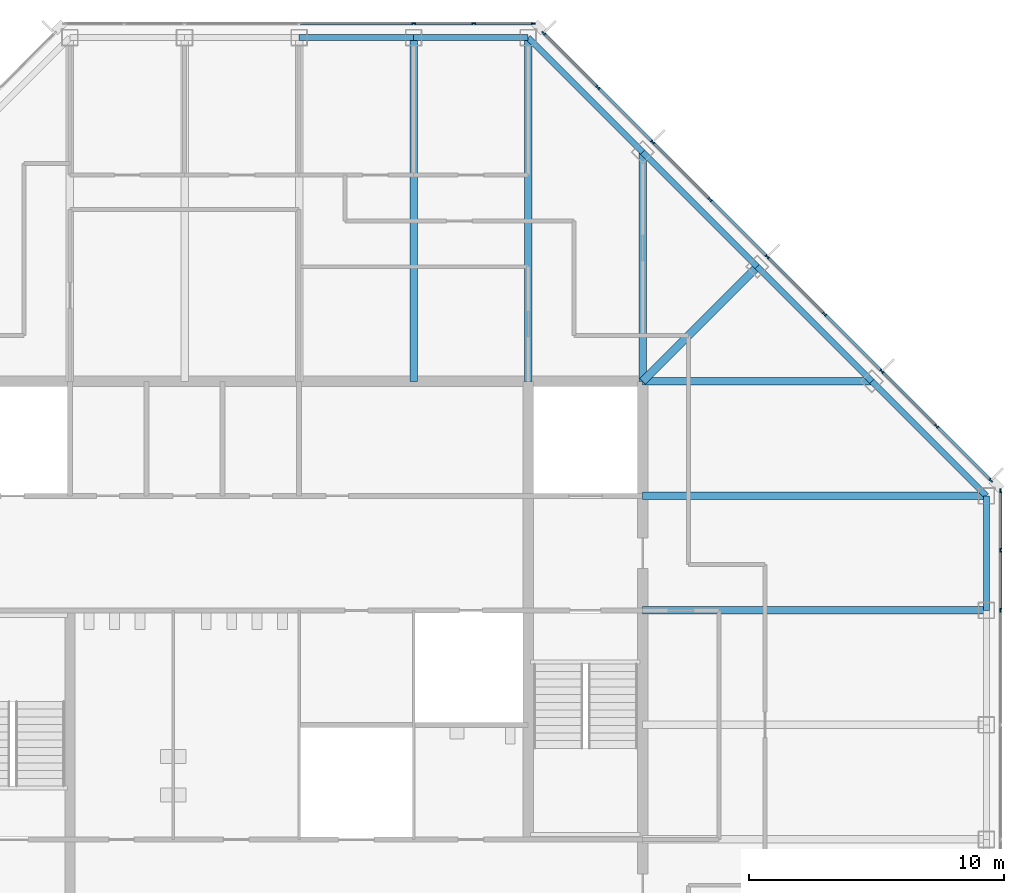
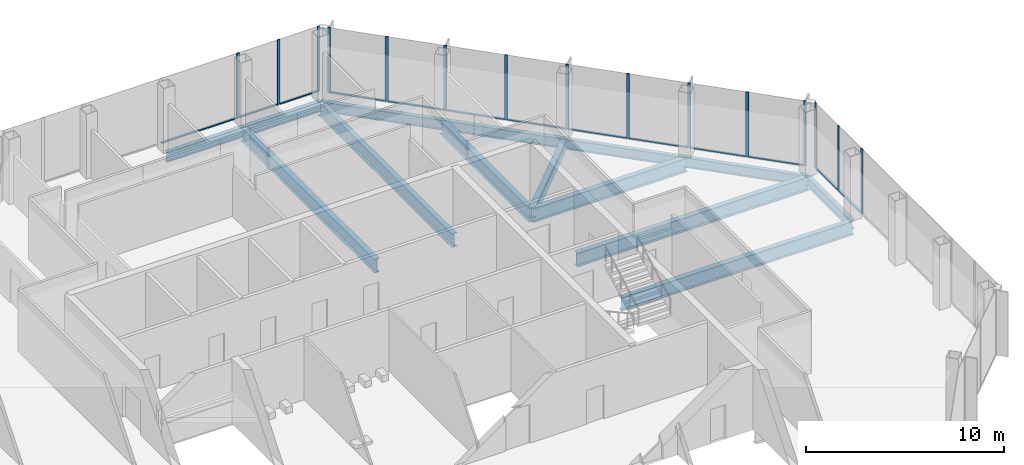
# One storey, part 7 of 14: 28 members, 14 beams, 3 elements without a shape of their own.
"""IFC4 building model written with IfcOpenShell, lengths in metres."""

from ifc_helpers import new_model, si_unit, direction, frame, origin, origin_2d, place, context, subcontext, project, spatial, rectangle, i_section, extrude, material, material_profile, profile_set, type_object, element, aggregate, save


model = new_model("IFC4")

# Units and contexts
model_context = context("Model", 3, precision=1e-05, world=origin(), true_north=direction((0.0, 1.0)))
body_context = subcontext(model_context, "Body", "Model", "MODEL_VIEW")
ifc_project = project(units=[si_unit("LENGTHUNIT", "METRE"), si_unit("AREAUNIT", "SQUARE_METRE"), si_unit("VOLUMEUNIT", "CUBIC_METRE"), si_unit("PLANEANGLEUNIT", "RADIAN"), si_unit("MASSUNIT", "GRAM", prefix="KILO")], contexts=[model_context])

# Site, building, storey
site_placement = place(None, origin())
site = spatial("IfcSite", under=ifc_project, at=site_placement, CompositionType="ELEMENT")
building_placement = place(site_placement, origin())
building = spatial("IfcBuilding", under=site, at=building_placement, Name="Corais Broadcast Tower", CompositionType="ELEMENT")
storey_placement = place(building_placement, frame((0.0, 0.0, 258.60009765625)))
storey = spatial("IfcBuildingStorey", under=building, at=storey_placement, Name="L60", CompositionType="ELEMENT", Elevation=258.60009765625)

# Beams
ifc_material_1 = material(Name="Steel ASTM A572 Grade 50", Category="steel")
ifc_material_profile_1 = material_profile(ifc_material_1, i_section(OverallWidth=0.323974609375, OverallDepth=0.611083984375, WebThickness=0.0126953125, FlangeThickness=0.01904296875, at=origin_2d()), Name="W610x155")
ifc_profile_set_1 = profile_set([ifc_material_profile_1], Name="Steel ASTM A572 Grade 50")
beam_type_1 = type_object("IfcBeamType", Name="Corner diagonal W610x155", PredefinedType="BEAM", material=ifc_profile_set_1)
beam_1_placement = place(storey_placement, frame((45.0, 45.0, -0.465576171875), z_axis=(-0.707106781187, -0.707106781187, 0.0), x_axis=(0.707106781187, -0.707106781187, 0.0)))
element("IfcBeam", 1, at=beam_1_placement, inside=storey, type_object=beam_type_1, Name="B6 L/13 to K/12", PredefinedType="BEAM", context=body_context, shape_type="SweptSolid", body=[
    extrude(i_section(OverallWidth=0.323974609375, OverallDepth=0.611083984375, WebThickness=0.0126953125, FlangeThickness=0.01904296875, at=origin_2d()), origin(), (0.0, 0.0, 1.0), 6.364013671875),
])
ifc_material_2 = material(Name="Steel ASTM A572 Grade 50", Category="steel")
ifc_material_profile_2 = material_profile(ifc_material_2, i_section(OverallWidth=0.2939453125, OverallDepth=0.85107421875, WebThickness=0.01611328125, FlangeThickness=0.02685546875, at=origin_2d()), Name="W840x226")
ifc_profile_set_2 = profile_set([ifc_material_profile_2], Name="Steel ASTM A572 Grade 50")
beam_type_2 = type_object("IfcBeamType", Name="Floor beam W840x226", PredefinedType="BEAM", material=ifc_profile_set_2)
for number, where, z_axis, x_axis, name in (
    (2, (31.5, 54.0, -0.585693359375), (0.0, -1.0, 0.0), (1.0, 0.0, 0.0), "B1 N/10 to K/10"),
    (3, (36.0, 54.0, -0.585693359375), (0.0, -1.0, 0.0), (1.0, 0.0, 0.0), "B1 N/11 to K/11"),
):
    element("IfcBeam", number, at=place(storey_placement, frame(where, z_axis=z_axis, x_axis=x_axis)), inside=storey, type_object=beam_type_2, Name=name, PredefinedType="BEAM", context=body_context, shape_type="SweptSolid", body=[
        extrude(i_section(OverallWidth=0.2939453125, OverallDepth=0.85107421875, WebThickness=0.01611328125, FlangeThickness=0.02685546875, at=origin_2d()), origin(), (0.0, 0.0, 1.0), 13.5),
    ])
for number, where, z_axis, x_axis, name in (
    (4, (40.5, 49.5, -0.585693359375), (0.0, -1.0, 0.0), (1.0, 0.0, 0.0), "B1 M/12 to K/12"),
    (5, (49.5, 40.5, -0.585693359375), (-1.0, 0.0, 0.0), (0.0, -1.0, 0.0), "B1 K/14 to K/12"),
):
    element("IfcBeam", number, at=place(storey_placement, frame(where, z_axis=z_axis, x_axis=x_axis)), inside=storey, type_object=beam_type_2, Name=name, PredefinedType="BEAM", context=body_context, shape_type="SweptSolid", body=[
        extrude(i_section(OverallWidth=0.2939453125, OverallDepth=0.85107421875, WebThickness=0.01611328125, FlangeThickness=0.02685546875, at=origin_2d()), origin(), (0.0, 0.0, 1.0), 9.0),
    ])
for number, where, z_axis, x_axis, name in (
    (6, (54.0, 31.5, -0.585693359375), (-1.0, 0.0, 0.0), (0.0, -1.0, 0.0), "B1 H/15 to H/12"),
    (7, (54.0, 36.0, -0.585693359375), (-1.0, 0.0, 0.0), (0.0, -1.0, 0.0), "B1 J/15 to J/12"),
):
    element("IfcBeam", number, at=place(storey_placement, frame(where, z_axis=z_axis, x_axis=x_axis)), inside=storey, type_object=beam_type_2, Name=name, PredefinedType="BEAM", context=body_context, shape_type="SweptSolid", body=[
        extrude(i_section(OverallWidth=0.2939453125, OverallDepth=0.85107421875, WebThickness=0.01611328125, FlangeThickness=0.02685546875, at=origin_2d()), origin(), (0.0, 0.0, 1.0), 13.5),
    ])

# Curtain wall, members
ifc_material_3 = material(Name="Aluminium and glass", Category="aluminium")
curtain_wall_type = type_object("IfcCurtainWallType", Name="Unitised fritted curtain wall CW3", PredefinedType="NOTDEFINED", material=ifc_material_3)
curtain_wall_1_placement = place(storey_placement, origin())
curtain_wall_1 = element("IfcCurtainWall", 8, at=curtain_wall_1_placement, inside=storey, type_object=curtain_wall_type, Name="CW3 curtain wall L60 4", PredefinedType="NOTDEFINED")
ifc_material_4 = material(Name="Aluminium 6063-T6", Category="aluminium")
ifc_material_profile_3 = material_profile(ifc_material_4, rectangle(XDim=0.06494140625, YDim=0.159912109375, at=origin_2d()), Name="Mullion CW3 65x160")
ifc_profile_set_3 = profile_set([ifc_material_profile_3], Name="Aluminium 6063-T6")
member_type_1 = type_object("IfcMemberType", Name="Mullion CW3 65x160", PredefinedType="MULLION", material=ifc_profile_set_3)
member_1_placement = place(storey_placement, frame((31.5, 54.550048828125, 0.0), z_axis=(0.0, 0.0, 1.0), x_axis=(0.0, 1.0, 0.0)))
member_1 = element("IfcMember", 9, at=member_1_placement, type_object=member_type_1, Name="CW3 mullion 5", PredefinedType="MULLION", context=body_context, shape_type="SweptSolid", body=[
    extrude(rectangle(XDim=0.06494140625, YDim=0.159912109375, at=origin_2d()), origin(), (0.0, 0.0, 1.0), 4.0),
])
member_2_placement = place(storey_placement, frame((33.864013671875, 54.550048828125, 0.0), z_axis=(0.0, 0.0, 1.0), x_axis=(0.0, 1.0, 0.0)))
member_2 = element("IfcMember", 10, at=member_2_placement, type_object=member_type_1, Name="CW3 mullion 6", PredefinedType="MULLION", context=body_context, shape_type="SweptSolid", body=[
    extrude(rectangle(XDim=0.06494140625, YDim=0.159912109375, at=origin_2d()), origin(), (0.0, 0.0, 1.0), 4.0),
])
member_3_placement = place(storey_placement, frame((36.1953125, 54.550048828125, 0.0), z_axis=(0.0, 0.0, 1.0), x_axis=(0.0, 1.0, 0.0)))
member_3 = element("IfcMember", 11, at=member_3_placement, type_object=member_type_1, Name="CW3 mullion 7", PredefinedType="MULLION", context=body_context, shape_type="SweptSolid", body=[
    extrude(rectangle(XDim=0.06494140625, YDim=0.159912109375, at=origin_2d()), origin(), (0.0, 0.0, 1.0), 4.0),
])

curtain_wall_2_placement = place(storey_placement, origin())
curtain_wall_2 = element("IfcCurtainWall", 12, at=curtain_wall_2_placement, inside=storey, type_object=curtain_wall_type, Name="CW3 curtain wall L60 5", PredefinedType="NOTDEFINED")
member_4_placement = place(storey_placement, frame((36.6044921875, 54.17333984375, 0.0), z_axis=(0.0, 0.0, 1.0), x_axis=(0.707106781187, 0.707106781187, 0.0)))
member_4 = element("IfcMember", 13, at=member_4_placement, type_object=member_type_1, Name="CW3 mullion 1", PredefinedType="MULLION", context=body_context, shape_type="SweptSolid", body=[
    extrude(rectangle(XDim=0.06494140625, YDim=0.159912109375, at=origin_2d()), origin(), (0.0, 0.0, 1.0), 4.0),
])
member_5_placement = place(storey_placement, frame((38.735107421875, 52.042724609375, 0.0), z_axis=(0.0, 0.0, 1.0), x_axis=(0.707106781187, 0.707106781187, 0.0)))
member_5 = element("IfcMember", 14, at=member_5_placement, type_object=member_type_1, Name="CW3 mullion 2", PredefinedType="MULLION", context=body_context, shape_type="SweptSolid", body=[
    extrude(rectangle(XDim=0.06494140625, YDim=0.159912109375, at=origin_2d()), origin(), (0.0, 0.0, 1.0), 4.0),
])
member_6_placement = place(storey_placement, frame((40.888916015625, 49.888916015625, 0.0), z_axis=(0.0, 0.0, 1.0), x_axis=(0.707106781187, 0.707106781187, 0.0)))
member_6 = element("IfcMember", 15, at=member_6_placement, type_object=member_type_1, Name="CW3 mullion 3", PredefinedType="MULLION", context=body_context, shape_type="SweptSolid", body=[
    extrude(rectangle(XDim=0.06494140625, YDim=0.159912109375, at=origin_2d()), origin(), (0.0, 0.0, 1.0), 4.0),
])
member_7_placement = place(storey_placement, frame((43.138916015625, 47.638916015625, 0.0), z_axis=(0.0, 0.0, 1.0), x_axis=(0.707106781187, 0.707106781187, 0.0)))
member_7 = element("IfcMember", 16, at=member_7_placement, type_object=member_type_1, Name="CW3 mullion 4", PredefinedType="MULLION", context=body_context, shape_type="SweptSolid", body=[
    extrude(rectangle(XDim=0.06494140625, YDim=0.159912109375, at=origin_2d()), origin(), (0.0, 0.0, 1.0), 4.0),
])
member_8_placement = place(storey_placement, frame((45.388916015625, 45.388916015625, 0.0), z_axis=(0.0, 0.0, 1.0), x_axis=(0.707106781187, 0.707106781187, 0.0)))
member_8 = element("IfcMember", 17, at=member_8_placement, type_object=member_type_1, Name="CW3 mullion 5", PredefinedType="MULLION", context=body_context, shape_type="SweptSolid", body=[
    extrude(rectangle(XDim=0.06494140625, YDim=0.159912109375, at=origin_2d()), origin(), (0.0, 0.0, 1.0), 4.0),
])
member_9_placement = place(storey_placement, frame((47.638916015625, 43.138916015625, 0.0), z_axis=(0.0, 0.0, 1.0), x_axis=(0.707106781187, 0.707106781187, 0.0)))
member_9 = element("IfcMember", 18, at=member_9_placement, type_object=member_type_1, Name="CW3 mullion 6", PredefinedType="MULLION", context=body_context, shape_type="SweptSolid", body=[
    extrude(rectangle(XDim=0.06494140625, YDim=0.159912109375, at=origin_2d()), origin(), (0.0, 0.0, 1.0), 4.0),
])
member_10_placement = place(storey_placement, frame((49.888916015625, 40.888916015625, 0.0), z_axis=(0.0, 0.0, 1.0), x_axis=(0.707106781187, 0.707106781187, 0.0)))
member_10 = element("IfcMember", 19, at=member_10_placement, type_object=member_type_1, Name="CW3 mullion 7", PredefinedType="MULLION", context=body_context, shape_type="SweptSolid", body=[
    extrude(rectangle(XDim=0.06494140625, YDim=0.159912109375, at=origin_2d()), origin(), (0.0, 0.0, 1.0), 4.0),
])
member_11_placement = place(storey_placement, frame((52.042724609375, 38.735107421875, 0.0), z_axis=(0.0, 0.0, 1.0), x_axis=(0.707106781187, 0.707106781187, 0.0)))
member_11 = element("IfcMember", 20, at=member_11_placement, type_object=member_type_1, Name="CW3 mullion 8", PredefinedType="MULLION", context=body_context, shape_type="SweptSolid", body=[
    extrude(rectangle(XDim=0.06494140625, YDim=0.159912109375, at=origin_2d()), origin(), (0.0, 0.0, 1.0), 4.0),
])
member_12_placement = place(storey_placement, frame((54.17333984375, 36.6044921875, 0.0), z_axis=(0.0, 0.0, 1.0), x_axis=(0.707106781187, 0.707106781187, 0.0)))
member_12 = element("IfcMember", 21, at=member_12_placement, type_object=member_type_1, Name="CW3 mullion 9", PredefinedType="MULLION", context=body_context, shape_type="SweptSolid", body=[
    extrude(rectangle(XDim=0.06494140625, YDim=0.159912109375, at=origin_2d()), origin(), (0.0, 0.0, 1.0), 4.0),
])

curtain_wall_3_placement = place(storey_placement, origin())
curtain_wall_3 = element("IfcCurtainWall", 22, at=curtain_wall_3_placement, inside=storey, type_object=curtain_wall_type, Name="CW3 curtain wall L60 6", PredefinedType="NOTDEFINED")
member_13_placement = place(storey_placement, frame((54.550048828125, 36.1953125, 0.0), z_axis=(0.0, 0.0, 1.0), x_axis=(1.0, 0.0, 0.0)))
member_13 = element("IfcMember", 23, at=member_13_placement, type_object=member_type_1, Name="CW3 mullion 1", PredefinedType="MULLION", context=body_context, shape_type="SweptSolid", body=[
    extrude(rectangle(XDim=0.06494140625, YDim=0.159912109375, at=origin_2d()), origin(), (0.0, 0.0, 1.0), 4.0),
])
member_14_placement = place(storey_placement, frame((54.550048828125, 33.864013671875, 0.0), z_axis=(0.0, 0.0, 1.0), x_axis=(1.0, 0.0, 0.0)))
member_14 = element("IfcMember", 24, at=member_14_placement, type_object=member_type_1, Name="CW3 mullion 2", PredefinedType="MULLION", context=body_context, shape_type="SweptSolid", body=[
    extrude(rectangle(XDim=0.06494140625, YDim=0.159912109375, at=origin_2d()), origin(), (0.0, 0.0, 1.0), 4.0),
])
member_15_placement = place(storey_placement, frame((54.550048828125, 31.5, 0.0), z_axis=(0.0, 0.0, 1.0), x_axis=(1.0, 0.0, 0.0)))
member_15 = element("IfcMember", 25, at=member_15_placement, type_object=member_type_1, Name="CW3 mullion 3", PredefinedType="MULLION", context=body_context, shape_type="SweptSolid", body=[
    extrude(rectangle(XDim=0.06494140625, YDim=0.159912109375, at=origin_2d()), origin(), (0.0, 0.0, 1.0), 4.0),
])

# Beams
ifc_material_5 = material(Name="Steel ASTM A572 Grade 50", Category="steel")
ifc_material_profile_4 = material_profile(ifc_material_5, i_section(OverallWidth=0.22998046875, OverallDepth=0.616943359375, WebThickness=0.01318359375, FlangeThickness=0.022216796875, at=origin_2d()), Name="W610x140")
ifc_profile_set_4 = profile_set([ifc_material_profile_4], Name="Steel ASTM A572 Grade 50")
beam_type_3 = type_object("IfcBeamType", Name="Spandrel W610x140", PredefinedType="BEAM", material=ifc_profile_set_4)
for number, where, z_axis, x_axis, name in (
    (26, (31.5, 54.0, -0.468505859375), (-1.0, 0.0, 0.0), (0.0, -1.0, 0.0), "SB3 N/10 to N/9"),
    (27, (36.0, 54.0, -0.468505859375), (-1.0, 0.0, 0.0), (0.0, -1.0, 0.0), "SB3 N/11 to N/10"),
):
    element("IfcBeam", number, at=place(storey_placement, frame(where, z_axis=z_axis, x_axis=x_axis)), inside=storey, type_object=beam_type_3, Name=name, PredefinedType="BEAM", context=body_context, shape_type="SweptSolid", body=[
        extrude(i_section(OverallWidth=0.22998046875, OverallDepth=0.616943359375, WebThickness=0.01318359375, FlangeThickness=0.022216796875, at=origin_2d()), origin(), (0.0, 0.0, 1.0), 4.5),
    ])
for number, where, z_axis, x_axis, name in (
    (28, (40.5, 49.5, -0.468505859375), (-0.707106781187, 0.707106781187, 0.0), (-0.707106781187, -0.707106781187, 0.0), "SB3 M/12 to N/11"),
    (29, (45.0, 45.0, -0.468505859375), (-0.707106781187, 0.707106781187, 0.0), (-0.707106781187, -0.707106781187, 0.0), "SB3 L/13 to M/12"),
    (30, (49.5, 40.5, -0.468505859375), (-0.707106781187, 0.707106781187, 0.0), (-0.707106781187, -0.707106781187, 0.0), "SB3 K/14 to L/13"),
):
    element("IfcBeam", number, at=place(storey_placement, frame(where, z_axis=z_axis, x_axis=x_axis)), inside=storey, type_object=beam_type_3, Name=name, PredefinedType="BEAM", context=body_context, shape_type="SweptSolid", body=[
        extrude(i_section(OverallWidth=0.22998046875, OverallDepth=0.616943359375, WebThickness=0.01318359375, FlangeThickness=0.022216796875, at=origin_2d()), origin(), (0.0, 0.0, 1.0), 6.364013671875),
    ])
beam_2_placement = place(storey_placement, frame((54.0, 31.5, -0.468505859375), z_axis=(0.0, 1.0, 0.0), x_axis=(-1.0, 0.0, 0.0)))
element("IfcBeam", 31, at=beam_2_placement, inside=storey, type_object=beam_type_3, Name="SB3 H/15 to J/15", PredefinedType="BEAM", context=body_context, shape_type="SweptSolid", body=[
    extrude(i_section(OverallWidth=0.22998046875, OverallDepth=0.616943359375, WebThickness=0.01318359375, FlangeThickness=0.022216796875, at=origin_2d()), origin(), (0.0, 0.0, 1.0), 4.5),
])
beam_3_placement = place(storey_placement, frame((54.0, 36.0, -0.468505859375), z_axis=(-0.707106781187, 0.707106781187, 0.0), x_axis=(-0.707106781187, -0.707106781187, 0.0)))
element("IfcBeam", 32, at=beam_3_placement, inside=storey, type_object=beam_type_3, Name="SB3 J/15 to K/14", PredefinedType="BEAM", context=body_context, shape_type="SweptSolid", body=[
    extrude(i_section(OverallWidth=0.22998046875, OverallDepth=0.616943359375, WebThickness=0.01318359375, FlangeThickness=0.022216796875, at=origin_2d()), origin(), (0.0, 0.0, 1.0), 6.364013671875),
])

# Member
ifc_material_6 = material(Name="Aluminium 6063-T6", Category="aluminium")
ifc_material_profile_5 = material_profile(ifc_material_6, rectangle(XDim=0.1201171875, YDim=0.06494140625, at=origin_2d()), Name="Transom CW3 65x120")
ifc_profile_set_5 = profile_set([ifc_material_profile_5], Name="Aluminium 6063-T6")
member_type_2 = type_object("IfcMemberType", Name="Transom CW3 65x120", PredefinedType="USERDEFINED", material=ifc_profile_set_5)
member_16_placement = place(storey_placement, frame((27.032470703125, 54.550048828125, 0.032470703125), z_axis=(1.0, 0.0, 0.0), x_axis=(0.0, 1.0, 0.0)))
member_16 = element("IfcMember", 33, at=member_16_placement, type_object=member_type_2, Name="CW3 transom 4.1", ObjectType="TRANSOM", PredefinedType="USERDEFINED", context=body_context, shape_type="SweptSolid", body=[
    extrude(rectangle(XDim=0.1201171875, YDim=0.06494140625, at=origin_2d()), origin(), (0.0, 0.0, 1.0), 4.43505859375),
])

member_17_placement = place(storey_placement, frame((31.532470703125, 54.550048828125, 0.032470703125), z_axis=(1.0, 0.0, 0.0), x_axis=(0.0, 1.0, 0.0)))
member_17 = element("IfcMember", 34, at=member_17_placement, type_object=member_type_2, Name="CW3 transom 5.1", ObjectType="TRANSOM", PredefinedType="USERDEFINED", context=body_context, shape_type="SweptSolid", body=[
    extrude(rectangle(XDim=0.1201171875, YDim=0.06494140625, at=origin_2d()), origin(), (0.0, 0.0, 1.0), 2.298828125),
])

member_18_placement = place(storey_placement, frame((33.896484375, 54.550048828125, 0.032470703125), z_axis=(1.0, 0.0, 0.0), x_axis=(0.0, 1.0, 0.0)))
member_18 = element("IfcMember", 35, at=member_18_placement, type_object=member_type_2, Name="CW3 transom 6.1", ObjectType="TRANSOM", PredefinedType="USERDEFINED", context=body_context, shape_type="SweptSolid", body=[
    extrude(rectangle(XDim=0.1201171875, YDim=0.06494140625, at=origin_2d()), origin(), (0.0, 0.0, 1.0), 2.266357421875),
])

aggregate(curtain_wall_1, [member_1, member_2, member_3, member_16, member_17, member_18])

member_19_placement = place(storey_placement, frame((36.62744140625, 54.150390625, 0.032470703125), z_axis=(0.707106781187, -0.707106781187, 0.0), x_axis=(0.707106781187, 0.707106781187, 0.0)))
member_19 = element("IfcMember", 36, at=member_19_placement, type_object=member_type_2, Name="CW3 transom 1.1", ObjectType="TRANSOM", PredefinedType="USERDEFINED", context=body_context, shape_type="SweptSolid", body=[
    extrude(rectangle(XDim=0.1201171875, YDim=0.06494140625, at=origin_2d()), origin(), (0.0, 0.0, 1.0), 2.9482421875),
])

member_20_placement = place(storey_placement, frame((38.758056640625, 52.019775390625, 0.032470703125), z_axis=(0.707106781187, -0.707106781187, 0.0), x_axis=(0.707106781187, 0.707106781187, 0.0)))
member_20 = element("IfcMember", 37, at=member_20_placement, type_object=member_type_2, Name="CW3 transom 2.1", ObjectType="TRANSOM", PredefinedType="USERDEFINED", context=body_context, shape_type="SweptSolid", body=[
    extrude(rectangle(XDim=0.1201171875, YDim=0.06494140625, at=origin_2d()), origin(), (0.0, 0.0, 1.0), 2.98095703125),
])

member_21_placement = place(storey_placement, frame((40.911865234375, 49.865966796875, 0.032470703125), z_axis=(0.707106781187, -0.707106781187, 0.0), x_axis=(0.707106781187, 0.707106781187, 0.0)))
member_21 = element("IfcMember", 38, at=member_21_placement, type_object=member_type_2, Name="CW3 transom 3.1", ObjectType="TRANSOM", PredefinedType="USERDEFINED", context=body_context, shape_type="SweptSolid", body=[
    extrude(rectangle(XDim=0.1201171875, YDim=0.06494140625, at=origin_2d()), origin(), (0.0, 0.0, 1.0), 3.1171875),
])

member_22_placement = place(storey_placement, frame((43.161865234375, 47.615966796875, 0.032470703125), z_axis=(0.707106781187, -0.707106781187, 0.0), x_axis=(0.707106781187, 0.707106781187, 0.0)))
member_22 = element("IfcMember", 39, at=member_22_placement, type_object=member_type_2, Name="CW3 transom 4.1", ObjectType="TRANSOM", PredefinedType="USERDEFINED", context=body_context, shape_type="SweptSolid", body=[
    extrude(rectangle(XDim=0.1201171875, YDim=0.06494140625, at=origin_2d()), origin(), (0.0, 0.0, 1.0), 3.1171875),
])

member_23_placement = place(storey_placement, frame((45.411865234375, 45.365966796875, 0.032470703125), z_axis=(0.707106781187, -0.707106781187, 0.0), x_axis=(0.707106781187, 0.707106781187, 0.0)))
member_23 = element("IfcMember", 40, at=member_23_placement, type_object=member_type_2, Name="CW3 transom 5.1", ObjectType="TRANSOM", PredefinedType="USERDEFINED", context=body_context, shape_type="SweptSolid", body=[
    extrude(rectangle(XDim=0.1201171875, YDim=0.06494140625, at=origin_2d()), origin(), (0.0, 0.0, 1.0), 3.1171875),
])

member_24_placement = place(storey_placement, frame((47.661865234375, 43.115966796875, 0.032470703125), z_axis=(0.707106781187, -0.707106781187, 0.0), x_axis=(0.707106781187, 0.707106781187, 0.0)))
member_24 = element("IfcMember", 41, at=member_24_placement, type_object=member_type_2, Name="CW3 transom 6.1", ObjectType="TRANSOM", PredefinedType="USERDEFINED", context=body_context, shape_type="SweptSolid", body=[
    extrude(rectangle(XDim=0.1201171875, YDim=0.06494140625, at=origin_2d()), origin(), (0.0, 0.0, 1.0), 3.1171875),
])

member_25_placement = place(storey_placement, frame((49.911865234375, 40.865966796875, 0.032470703125), z_axis=(0.707065828661, -0.70714773134, 0.0), x_axis=(0.70714773134, 0.707065828661, 0.0)))
member_25 = element("IfcMember", 42, at=member_25_placement, type_object=member_type_2, Name="CW3 transom 7.1", ObjectType="TRANSOM", PredefinedType="USERDEFINED", context=body_context, shape_type="SweptSolid", body=[
    extrude(rectangle(XDim=0.1201171875, YDim=0.06494140625, at=origin_2d()), origin(), (0.0, 0.0, 1.0), 2.98095703125),
])

member_26_placement = place(storey_placement, frame((52.065673828125, 38.712158203125, 0.032470703125), z_axis=(0.707106781187, -0.707106781187, 0.0), x_axis=(0.707106781187, 0.707106781187, 0.0)))
member_26 = element("IfcMember", 43, at=member_26_placement, type_object=member_type_2, Name="CW3 transom 8.1", ObjectType="TRANSOM", PredefinedType="USERDEFINED", context=body_context, shape_type="SweptSolid", body=[
    extrude(rectangle(XDim=0.1201171875, YDim=0.06494140625, at=origin_2d()), origin(), (0.0, 0.0, 1.0), 2.9482421875),
])

aggregate(curtain_wall_2, [member_4, member_5, member_6, member_7, member_8, member_9, member_10, member_11, member_12, member_19, member_20, member_21, member_22, member_23, member_24, member_25, member_26])

member_27_placement = place(storey_placement, frame((54.550048828125, 36.162841796875, 0.032470703125), z_axis=(0.0, -1.0, 0.0), x_axis=(1.0, 0.0, 0.0)))
member_27 = element("IfcMember", 44, at=member_27_placement, type_object=member_type_2, Name="CW3 transom 1.1", ObjectType="TRANSOM", PredefinedType="USERDEFINED", context=body_context, shape_type="SweptSolid", body=[
    extrude(rectangle(XDim=0.1201171875, YDim=0.06494140625, at=origin_2d()), origin(), (0.0, 0.0, 1.0), 2.266357421875),
])

member_28_placement = place(storey_placement, frame((54.550048828125, 33.831298828125, 0.032470703125), z_axis=(0.0, -1.0, 0.0), x_axis=(1.0, 0.0, 0.0)))
member_28 = element("IfcMember", 45, at=member_28_placement, type_object=member_type_2, Name="CW3 transom 2.1", ObjectType="TRANSOM", PredefinedType="USERDEFINED", context=body_context, shape_type="SweptSolid", body=[
    extrude(rectangle(XDim=0.1201171875, YDim=0.06494140625, at=origin_2d()), origin(), (0.0, 0.0, 1.0), 2.298828125),
])

aggregate(curtain_wall_3, [member_13, member_14, member_15, member_27, member_28])

save(model, "model.ifc")
